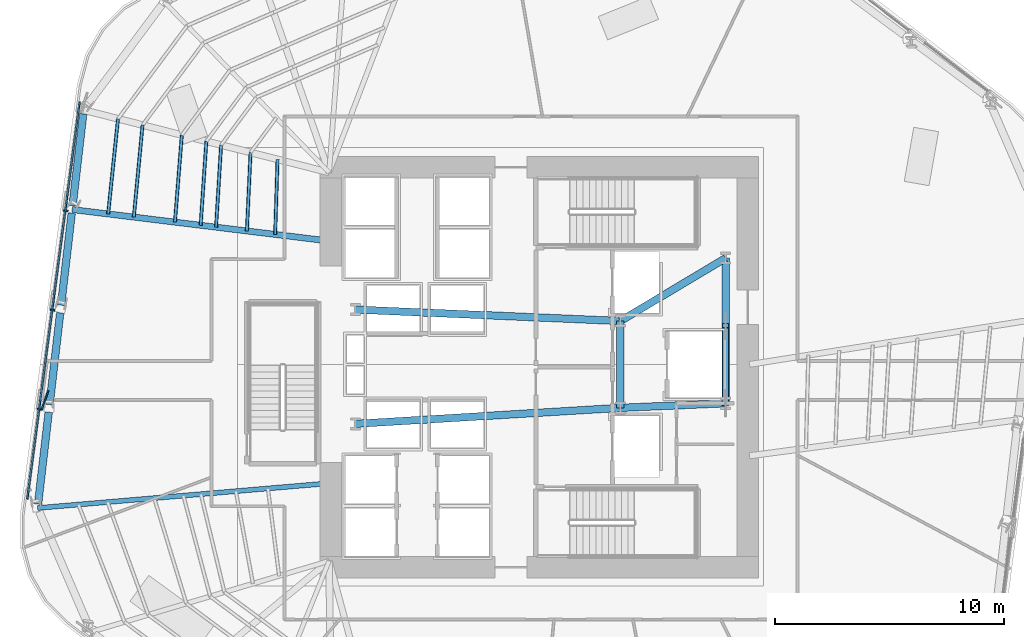
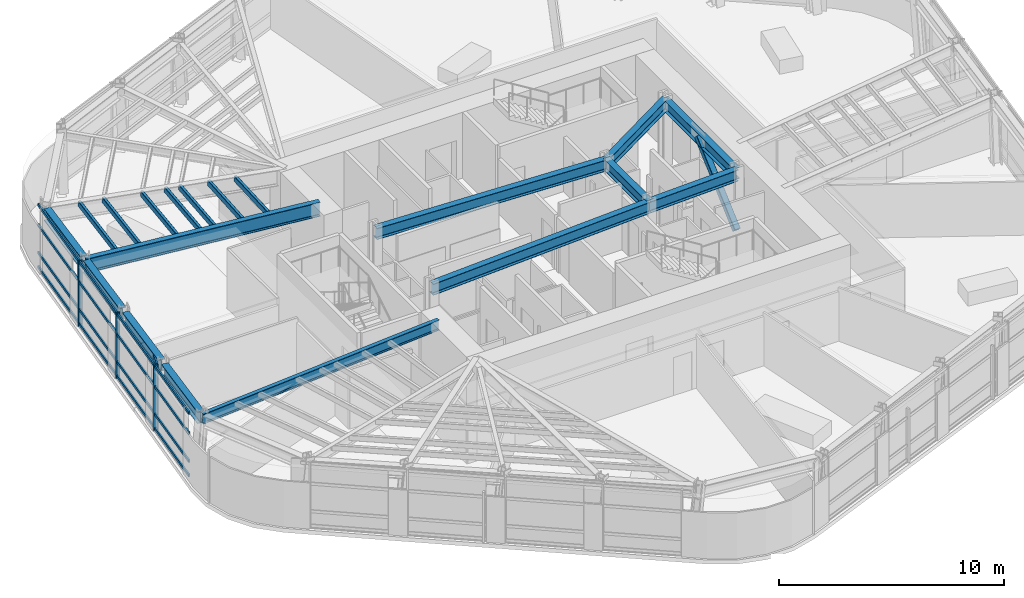
# One storey, part 4 of 18: 16 members, 12 beams, 1 element without a shape of its own.
"""IFC4 building model written with IfcOpenShell, lengths in metres."""

from ifc_helpers import new_model, si_unit, direction, frame, origin, origin_2d, place, context, subcontext, project, spatial, rectangle, hollow_rectangle, i_section, extrude, material, layer, layer_set, material_profile, profile_set, type_object, element, aggregate, save


model = new_model("IFC4")

# Units and contexts
model_context = context("Model", 3, precision=1e-05, world=origin(), true_north=direction((0.0, 1.0)))
body_context = subcontext(model_context, "Body", "Model", "MODEL_VIEW")
ifc_project = project(units=[si_unit("LENGTHUNIT", "METRE"), si_unit("AREAUNIT", "SQUARE_METRE"), si_unit("VOLUMEUNIT", "CUBIC_METRE"), si_unit("PLANEANGLEUNIT", "RADIAN"), si_unit("MASSUNIT", "GRAM", prefix="KILO")], contexts=[model_context])

# Site, building, storey
site_placement = place(None, origin())
site = spatial("IfcSite", under=ifc_project, at=site_placement, CompositionType="ELEMENT")
building_placement = place(site_placement, origin())
building = spatial("IfcBuilding", under=site, at=building_placement, Name="Valkerne Bourse Tower", CompositionType="ELEMENT")
storey_placement = place(building_placement, frame((0.0, 0.0, 120.0)))
storey = spatial("IfcBuildingStorey", under=building, at=storey_placement, Name="L30", CompositionType="ELEMENT", Elevation=120.0)

# Beams
ifc_material_1 = material(Name="Steel ASTM A992", Category="steel")
ifc_material_profile_1 = material_profile(ifc_material_1, i_section(OverallWidth=0.2138671875, OverallDepth=0.548583984375, WebThickness=0.0146484375, FlangeThickness=0.023681640625, FilletRadius=0.017822265625, at=origin_2d()), Name="W21X93")
ifc_profile_set_1 = profile_set([ifc_material_profile_1], Name="Steel ASTM A992")
beam_type_1 = type_object("IfcBeamType", Name="BM-W21X93", PredefinedType="BEAM", material=ifc_profile_set_1)
beam_1_placement = place(storey_placement, frame((24.844482421875, 20.7158203125, 3.3056640625), z_axis=(0.996406950068, 0.084694686111, 0.0), x_axis=(-0.084694686111, 0.996406950068, 0.0)))
element("IfcBeam", 1, at=beam_1_placement, inside=storey, type_object=beam_type_1, Name="L30 Radial Composite Floor Beam 14", PredefinedType="BEAM", context=body_context, shape_type="SweptSolid", body=[
    extrude(i_section(OverallWidth=0.2138671875, OverallDepth=0.548583984375, WebThickness=0.0146484375, FlangeThickness=0.023681640625, FilletRadius=0.017822265625, at=origin_2d()), origin(), (0.0, 0.0, 1.0), 12.801513671875),
])
ifc_material_profile_2 = material_profile(ifc_material_1, i_section(OverallWidth=0.3251953125, OverallDepth=0.612060546875, WebThickness=0.0126953125, FlangeThickness=0.01904296875, FilletRadius=0.020263671875, at=origin_2d()), Name="W24X104")
ifc_profile_set_2 = profile_set([ifc_material_profile_2], Name="Steel ASTM A992")
beam_type_2 = type_object("IfcBeamType", Name="BM-W24X104", PredefinedType="BEAM", material=ifc_profile_set_2)
beam_2_placement = place(storey_placement, frame((50.35009765625, 25.10009765625, 3.27392578125), z_axis=(0.0, 1.0, 0.0), x_axis=(-1.0, 0.0, 0.0)))
element("IfcBeam", 2, at=beam_2_placement, inside=storey, type_object=beam_type_2, Name="L30 Core Frame Girder CG-CE", PredefinedType="BEAM", context=body_context, shape_type="SweptSolid", body=[
    extrude(i_section(OverallWidth=0.3251953125, OverallDepth=0.612060546875, WebThickness=0.0126953125, FlangeThickness=0.01904296875, FilletRadius=0.020263671875, at=origin_2d()), origin(), (0.0, 0.0, 1.0), 3.7998046875),
])
beam_3_placement = place(storey_placement, frame((50.35009765625, 25.10009765625, 3.27392578125), z_axis=(0.999056558506, 0.043428019819, 0.0), x_axis=(-0.043428019819, 0.999056558506, 0.0)))
element("IfcBeam", 3, at=beam_3_placement, inside=storey, type_object=beam_type_2, Name="L30 Core Frame Girder CG-SE", PredefinedType="BEAM", context=body_context, shape_type="SweptSolid", body=[
    extrude(i_section(OverallWidth=0.3251953125, OverallDepth=0.612060546875, WebThickness=0.0126953125, FlangeThickness=0.01904296875, FilletRadius=0.020263671875, at=origin_2d()), origin(), (0.0, 0.0, 1.0), 4.604248046875),
])
beam_4_placement = place(storey_placement, frame((50.35009765625, 28.89990234375, 3.27392578125), z_axis=(0.858307823492, 0.513135148019, 0.0), x_axis=(-0.513135148019, 0.858307823492, 0.0)))
element("IfcBeam", 4, at=beam_4_placement, inside=storey, type_object=beam_type_2, Name="L30 Core Frame Girder CG-NE", PredefinedType="BEAM", context=body_context, shape_type="SweptSolid", body=[
    extrude(i_section(OverallWidth=0.3251953125, OverallDepth=0.612060546875, WebThickness=0.0126953125, FlangeThickness=0.01904296875, FilletRadius=0.020263671875, at=origin_2d()), origin(), (0.0, 0.0, 1.0), 5.359130859375),
])
beam_5_placement = place(storey_placement, frame((54.949951171875, 25.300048828125, 3.27392578125), z_axis=(0.0, 1.0, 0.0), x_axis=(-1.0, 0.0, 0.0)))
element("IfcBeam", 5, at=beam_5_placement, inside=storey, type_object=beam_type_2, Name="L30 Core Frame Girder CG-EE", PredefinedType="BEAM", context=body_context, shape_type="SweptSolid", body=[
    extrude(i_section(OverallWidth=0.3251953125, OverallDepth=0.612060546875, WebThickness=0.0126953125, FlangeThickness=0.01904296875, FilletRadius=0.020263671875, at=origin_2d()), origin(), (0.0, 0.0, 1.0), 6.349853515625),
])
beam_6_placement = place(storey_placement, frame((38.75, 24.39990234375, 3.27392578125), z_axis=(0.998183228389, 0.060251494276, 0.0), x_axis=(-0.060251494276, 0.998183228389, 0.0)))
element("IfcBeam", 6, at=beam_6_placement, inside=storey, type_object=beam_type_2, Name="L30 Core Frame Girder CG-SW", PredefinedType="BEAM", context=body_context, shape_type="SweptSolid", body=[
    extrude(i_section(OverallWidth=0.3251953125, OverallDepth=0.612060546875, WebThickness=0.0126953125, FlangeThickness=0.01904296875, FilletRadius=0.020263671875, at=origin_2d()), origin(), (0.0, 0.0, 1.0), 11.62109375),
])
beam_7_placement = place(storey_placement, frame((38.75, 29.39990234375, 3.27392578125), z_axis=(0.999072354402, -0.043063101019, 0.0), x_axis=(0.043063101019, 0.999072354402, 0.0)))
element("IfcBeam", 7, at=beam_7_placement, inside=storey, type_object=beam_type_2, Name="L30 Core Frame Girder CG-NW", PredefinedType="BEAM", context=body_context, shape_type="SweptSolid", body=[
    extrude(i_section(OverallWidth=0.3251953125, OverallDepth=0.612060546875, WebThickness=0.0126953125, FlangeThickness=0.01904296875, FilletRadius=0.020263671875, at=origin_2d()), origin(), (0.0, 0.0, 1.0), 11.61083984375),
])
ifc_material_profile_3 = material_profile(ifc_material_1, i_section(OverallWidth=0.330078125, OverallDepth=0.647705078125, WebThickness=0.0205078125, FlangeThickness=0.037109375, FilletRadius=0.020263671875, at=origin_2d()), Name="W24X192")
ifc_profile_set_3 = profile_set([ifc_material_profile_3], Name="Steel ASTM A992")
beam_type_3 = type_object("IfcBeamType", Name="BM-W24X192", PredefinedType="SPANDREL", material=ifc_profile_set_3)
beam_8_placement = place(storey_placement, frame((26.840087890625, 37.962890625, 3.256103515625), z_axis=(-0.114970182223, -0.993368943142, 0.0), x_axis=(0.993368943142, -0.114970182223, 0.0)))
element("IfcBeam", 8, at=beam_8_placement, inside=storey, type_object=beam_type_3, Name="L30 Hexagonal Spandrel Ring Beam 10", PredefinedType="SPANDREL", context=body_context, shape_type="SweptSolid", body=[
    extrude(i_section(OverallWidth=0.330078125, OverallDepth=0.647705078125, WebThickness=0.0205078125, FlangeThickness=0.037109375, FilletRadius=0.020263671875, at=origin_2d()), origin(), (0.0, 0.0, 1.0), 4.043212890625),
])
for number, where, z_axis, x_axis, name in (
    (9, (26.336181640625, 33.60888671875, 3.256103515625), (-0.11491748946, -0.993375040262, 0.0), (0.993375040262, -0.11491748946, 0.0), "L30 Hexagonal Spandrel Ring Beam 11"),
    (10, (25.83251953125, 29.2548828125, 3.256103515625), (-0.11491748946, -0.993375040262, 0.0), (0.993375040262, -0.11491748946, 0.0), "L30 Hexagonal Spandrel Ring Beam 12"),
    (11, (25.328857421875, 24.90087890625, 3.256103515625), (-0.114977078901, -0.993368144913, 0.0), (0.993368144913, -0.114977078901, 0.0), "L30 Hexagonal Spandrel Ring Beam 13"),
):
    element("IfcBeam", number, at=place(storey_placement, frame(where, z_axis=z_axis, x_axis=x_axis)), inside=storey, type_object=beam_type_3, Name=name, PredefinedType="SPANDREL", context=body_context, shape_type="SweptSolid", body=[
        extrude(i_section(OverallWidth=0.330078125, OverallDepth=0.647705078125, WebThickness=0.0205078125, FlangeThickness=0.037109375, FilletRadius=0.020263671875, at=origin_2d()), origin(), (0.0, 0.0, 1.0), 4.04296875),
    ])
ifc_material_profile_4 = material_profile(ifc_material_1, i_section(OverallWidth=0.26806640625, OverallDepth=0.76953125, WebThickness=0.015625, FlangeThickness=0.025390625, FilletRadius=0.025390625, at=origin_2d()), Name="W30X132")
ifc_profile_set_4 = profile_set([ifc_material_profile_4], Name="Steel ASTM A992")
beam_type_4 = type_object("IfcBeamType", Name="BM-W30X132", PredefinedType="BEAM", material=ifc_profile_set_4)
beam_9_placement = place(storey_placement, frame((26.355712890625, 33.777587890625, 3.1953125), z_axis=(0.992577631275, -0.121612688045, 0.0), x_axis=(0.121612688045, 0.992577631275, 0.0)))
element("IfcBeam", 12, at=beam_9_placement, inside=storey, type_object=beam_type_4, Name="L30 Radial Composite Floor Beam 11", PredefinedType="BEAM", context=body_context, shape_type="SweptSolid", body=[
    extrude(i_section(OverallWidth=0.26806640625, OverallDepth=0.76953125, WebThickness=0.015625, FlangeThickness=0.025390625, FilletRadius=0.025390625, at=origin_2d()), origin(), (0.0, 0.0, 1.0), 11.328369140625),
])

# Curtain wall, members
ifc_material_2 = material(Name="Aluminium AA 6063-T6", Category="aluminium")
ifc_layer = layer(ifc_material_2, 0.22998046875)
ifc_layer_set = layer_set([ifc_layer], Name="Aluminium AA 6063-T6")
curtain_wall_type = type_object("IfcCurtainWallType", Name="CW-02", PredefinedType="NOTDEFINED", material=ifc_layer_set)
curtain_wall_placement = place(storey_placement, origin())
curtain_wall = element("IfcCurtainWall", 13, at=curtain_wall_placement, inside=storey, type_object=curtain_wall_type, Name="L30 Hexagonal Stick Curtain Wall Face 3", PredefinedType="NOTDEFINED")
ifc_material_profile_5 = material_profile(ifc_material_2, rectangle(XDim=0.074951171875, YDim=0.199951171875, at=origin_2d()), Name="CWM-75X200")
ifc_profile_set_5 = profile_set([ifc_material_profile_5], Name="Aluminium AA 6063-T6")
member_type_1 = type_object("IfcMemberType", Name="CW-MUL-220X75", PredefinedType="MULLION", material=ifc_profile_set_5)
member_1_placement = place(storey_placement, frame((26.072998046875, 33.72607421875, 0.0), z_axis=(0.0, 0.0, 1.0), x_axis=(-0.130527105368, -0.991444741155, 0.0)))
member_1 = element("IfcMember", 14, at=member_1_placement, type_object=member_type_1, Name="CW-L30-F3 Jamb Mullion 01A", PredefinedType="MULLION", context=body_context, shape_type="SweptSolid", body=[
    extrude(rectangle(XDim=0.074951171875, YDim=0.199951171875, at=origin_2d()), origin(), (0.0, 0.0, 1.0), 3.580078125),
])
member_2_placement = place(storey_placement, frame((25.500732421875, 29.380615234375, 0.0), z_axis=(0.0, 0.0, 1.0), x_axis=(-0.130527105368, -0.991444741155, 0.0)))
member_2 = element("IfcMember", 15, at=member_2_placement, type_object=member_type_1, Name="CW-L30-F3 Jamb Mullion 02A", PredefinedType="MULLION", context=body_context, shape_type="SweptSolid", body=[
    extrude(rectangle(XDim=0.074951171875, YDim=0.199951171875, at=origin_2d()), origin(), (0.0, 0.0, 1.0), 3.580078125),
])
member_3_placement = place(storey_placement, frame((24.9287109375, 25.034912109375, 0.0), z_axis=(0.0, 0.0, 1.0), x_axis=(-0.130527105368, -0.991444741155, 0.0)))
member_3 = element("IfcMember", 16, at=member_3_placement, type_object=member_type_1, Name="CW-L30-F3 Jamb Mullion 03A", PredefinedType="MULLION", context=body_context, shape_type="SweptSolid", body=[
    extrude(rectangle(XDim=0.074951171875, YDim=0.199951171875, at=origin_2d()), origin(), (0.0, 0.0, 1.0), 3.580078125),
])
ifc_material_profile_6 = material_profile(ifc_material_2, rectangle(XDim=0.074951171875, YDim=0.14990234375, at=origin_2d()), Name="CWT-75X150")
ifc_profile_set_6 = profile_set([ifc_material_profile_6], Name="Aluminium AA 6063-T6")
member_type_2 = type_object("IfcMemberType", Name="CW-TRN-180X65", PredefinedType="USERDEFINED", material=ifc_profile_set_6)
member_4_placement = place(storey_placement, frame((26.679931640625, 38.490478515625, 0.1201171875), z_axis=(-0.13052259401, -0.991445335081, 0.0), x_axis=(0.991445335081, -0.13052259401, 0.0)))
member_4 = element("IfcMember", 17, at=member_4_placement, type_object=member_type_2, Name="CW-L30-F3 Continuous Face Transom 1", ObjectType="TRANSOM", PredefinedType="USERDEFINED", context=body_context, shape_type="SweptSolid", body=[
    extrude(rectangle(XDim=0.074951171875, YDim=0.14990234375, at=origin_2d()), origin(), (0.0, 0.0, 1.0), 17.531982421875),
])
member_5_placement = place(storey_placement, frame((26.679931640625, 38.490478515625, 0.89990234375), z_axis=(-0.13052259401, -0.991445335081, 0.0), x_axis=(0.991445335081, -0.13052259401, 0.0)))
member_5 = element("IfcMember", 18, at=member_5_placement, type_object=member_type_2, Name="CW-L30-F3 Continuous Face Transom 2", ObjectType="TRANSOM", PredefinedType="USERDEFINED", context=body_context, shape_type="SweptSolid", body=[
    extrude(rectangle(XDim=0.074951171875, YDim=0.14990234375, at=origin_2d()), origin(), (0.0, 0.0, 1.0), 17.531982421875),
])
member_6_placement = place(storey_placement, frame((26.679931640625, 38.490478515625, 2.39990234375), z_axis=(-0.13052259401, -0.991445335081, 0.0), x_axis=(0.991445335081, -0.13052259401, 0.0)))
member_6 = element("IfcMember", 19, at=member_6_placement, type_object=member_type_2, Name="CW-L30-F3 Continuous Face Transom 3", ObjectType="TRANSOM", PredefinedType="USERDEFINED", context=body_context, shape_type="SweptSolid", body=[
    extrude(rectangle(XDim=0.074951171875, YDim=0.14990234375, at=origin_2d()), origin(), (0.0, 0.0, 1.0), 17.531982421875),
])
member_7_placement = place(storey_placement, frame((26.679931640625, 38.490478515625, 3.5), z_axis=(-0.13052259401, -0.991445335081, 0.0), x_axis=(0.991445335081, -0.13052259401, 0.0)))
member_7 = element("IfcMember", 20, at=member_7_placement, type_object=member_type_2, Name="CW-L30-F3 Continuous Face Transom 4", ObjectType="TRANSOM", PredefinedType="USERDEFINED", context=body_context, shape_type="SweptSolid", body=[
    extrude(rectangle(XDim=0.074951171875, YDim=0.14990234375, at=origin_2d()), origin(), (0.0, 0.0, 1.0), 17.531982421875),
])
aggregate(curtain_wall, [member_4, member_5, member_6, member_7, member_1, member_2, member_3])

# Members
ifc_material_3 = material(Name="Bronze Anodised Aluminium AA 6063-T6", Category="aluminium")
ifc_material_profile_7 = material_profile(ifc_material_3, rectangle(XDim=0.070068359375, YDim=0.89990234375, at=origin_2d()), Name="FIN-70X900")
ifc_profile_set_7 = profile_set([ifc_material_profile_7], Name="Bronze Anodised Aluminium AA 6063-T6")
member_type_3 = type_object("IfcMemberType", Name="FIN-SOLAR-900", PredefinedType="USERDEFINED", material=ifc_profile_set_7)
member_8_placement = place(storey_placement, frame((25.162109375, 25.427978515625, 0.00390625), z_axis=(0.0, 0.0, 1.0), x_axis=(-0.947729393579, 0.319075220828, 0.0)))
element("IfcMember", 21, at=member_8_placement, inside=storey, type_object=member_type_3, Name="L30 Bronze Anodised Solar Fin F3-03", ObjectType="SOLAR_FIN", PredefinedType="USERDEFINED", context=body_context, shape_type="SweptSolid", body=[
    extrude(rectangle(XDim=0.070068359375, YDim=0.89990234375, at=origin_2d()), origin(), (0.0, 0.0, 1.0), 3.572021484375),
])
ifc_material_4 = material(Name="Steel ASTM A500 Grade C", Category="steel")
ifc_material_profile_8 = material_profile(ifc_material_4, hollow_rectangle(XDim=0.14990234375, YDim=0.300048828125, WallThickness=0.012451171875, OuterFilletRadius=0.02490234375, at=origin_2d()), Name="HSS300X150X12.5")
ifc_profile_set_8 = profile_set([ifc_material_profile_8], Name="Steel ASTM A500 Grade C")
member_type_4 = type_object("IfcMemberType", Name="MBR-HSS300X150X12.5", PredefinedType="PURLIN", material=ifc_profile_set_8)
member_9_placement = place(storey_placement, frame((34.1630859375, 36.274169921875, 3.419921875), z_axis=(-0.046880064477, -0.998900525355, 0.0), x_axis=(0.998900525355, -0.046880064477, 0.0)))
element("IfcMember", 22, at=member_9_placement, inside=storey, type_object=member_type_4, Name="L30 Secondary Composite Floor Purlin I-10", PredefinedType="PURLIN", context=body_context, shape_type="SweptSolid", body=[
    extrude(hollow_rectangle(XDim=0.14990234375, YDim=0.300048828125, WallThickness=0.012451171875, OuterFilletRadius=0.02490234375, at=origin_2d()), origin(), (0.0, 0.0, 1.0), 3.43701171875),
])
member_10_placement = place(storey_placement, frame((32.874267578125, 36.601806640625, 3.419921875), z_axis=(-0.061534444874, -0.99810496046, 0.0), x_axis=(0.99810496046, -0.061534444874, 0.0)))
element("IfcMember", 23, at=member_10_placement, inside=storey, type_object=member_type_4, Name="L30 Secondary Composite Floor Purlin K-10", PredefinedType="PURLIN", context=body_context, shape_type="SweptSolid", body=[
    extrude(hollow_rectangle(XDim=0.14990234375, YDim=0.300048828125, WallThickness=0.012451171875, OuterFilletRadius=0.02490234375, at=origin_2d()), origin(), (0.0, 0.0, 1.0), 3.6025390625),
])
member_11_placement = place(storey_placement, frame((32.229736328125, 36.765869140625, 3.419921875), z_axis=(-0.068361050912, -0.997660647073, 0.0), x_axis=(0.997660647073, -0.068361050912, 0.0)))
element("IfcMember", 24, at=member_11_placement, inside=storey, type_object=member_type_4, Name="L30 Secondary Composite Floor Purlin M-10", PredefinedType="PURLIN", context=body_context, shape_type="SweptSolid", body=[
    extrude(hollow_rectangle(XDim=0.14990234375, YDim=0.300048828125, WallThickness=0.012451171875, OuterFilletRadius=0.02490234375, at=origin_2d()), origin(), (0.0, 0.0, 1.0), 3.685546875),
])
member_12_placement = place(storey_placement, frame((29.437255859375, 37.47607421875, 3.419921875), z_axis=(-0.09458704604, -0.9955165949, 0.0), x_axis=(0.9955165949, -0.09458704604, 0.0)))
element("IfcMember", 25, at=member_12_placement, inside=storey, type_object=member_type_4, Name="L30 Secondary Composite Floor Purlin O-10", PredefinedType="PURLIN", context=body_context, shape_type="SweptSolid", body=[
    extrude(hollow_rectangle(XDim=0.14990234375, YDim=0.300048828125, WallThickness=0.012451171875, OuterFilletRadius=0.02490234375, at=origin_2d()), origin(), (0.0, 0.0, 1.0), 4.047119140625),
])
member_13_placement = place(storey_placement, frame((31.15576171875, 37.0390625, 3.419921875), z_axis=(-0.079029704137, -0.996872261558, 0.0), x_axis=(0.996872261558, -0.079029704137, 0.0)))
element("IfcMember", 26, at=member_13_placement, inside=storey, type_object=member_type_4, Name="L30 Secondary Composite Floor Purlin Z-10", PredefinedType="PURLIN", context=body_context, shape_type="SweptSolid", body=[
    extrude(hollow_rectangle(XDim=0.14990234375, YDim=0.300048828125, WallThickness=0.012451171875, OuterFilletRadius=0.02490234375, at=origin_2d()), origin(), (0.0, 0.0, 1.0), 3.824462890625),
])
member_14_placement = place(storey_placement, frame((35.344482421875, 35.9736328125, 3.419921875), z_axis=(-0.032169470869, -0.999482428632, 0.0), x_axis=(0.999482428632, -0.032169470869, 0.0)))
element("IfcMember", 27, at=member_14_placement, inside=storey, type_object=member_type_4, Name="L30 Secondary Composite Floor Purlin S-10", PredefinedType="PURLIN", context=body_context, shape_type="SweptSolid", body=[
    extrude(hollow_rectangle(XDim=0.14990234375, YDim=0.300048828125, WallThickness=0.012451171875, OuterFilletRadius=0.02490234375, at=origin_2d()), origin(), (0.0, 0.0, 1.0), 3.2861328125),
])
member_15_placement = place(storey_placement, frame((28.36328125, 37.749267578125, 3.419921875), z_axis=(-0.103497928409, -0.994629669181, 0.0), x_axis=(0.994629669181, -0.103497928409, 0.0)))
element("IfcMember", 28, at=member_15_placement, inside=storey, type_object=member_type_4, Name="L30 Secondary Composite Floor Purlin T-10", PredefinedType="PURLIN", context=body_context, shape_type="SweptSolid", body=[
    extrude(hollow_rectangle(XDim=0.14990234375, YDim=0.300048828125, WallThickness=0.012451171875, OuterFilletRadius=0.02490234375, at=origin_2d()), origin(), (0.0, 0.0, 1.0), 4.18701171875),
])
ifc_material_profile_9 = material_profile(ifc_material_4, hollow_rectangle(XDim=0.300048828125, YDim=0.300048828125, WallThickness=0.012451171875, OuterFilletRadius=0.02490234375, at=origin_2d()), Name="HSS300X300X12.5")
ifc_profile_set_9 = profile_set([ifc_material_profile_9], Name="Steel ASTM A500 Grade C")
member_type_5 = type_object("IfcMemberType", Name="MBR-HSS300X300X12.5", PredefinedType="STRUT", material=ifc_profile_set_9)
member_16_placement = place(storey_placement, frame((54.949951171875, 25.300048828125, 0.219970703125), z_axis=(0.0, 0.743941933778, 0.668244266094), x_axis=(-1.0, 0.0, 0.0)))
element("IfcMember", 29, at=member_16_placement, inside=storey, type_object=member_type_5, Name="L30 Core Service Pier Lateral Brace", PredefinedType="STRUT", context=body_context, shape_type="SweptSolid", body=[
    extrude(hollow_rectangle(XDim=0.300048828125, YDim=0.300048828125, WallThickness=0.012451171875, OuterFilletRadius=0.02490234375, at=origin_2d()), origin(), (0.0, 0.0, 1.0), 4.570068359375),
])

save(model, "model.ifc")
